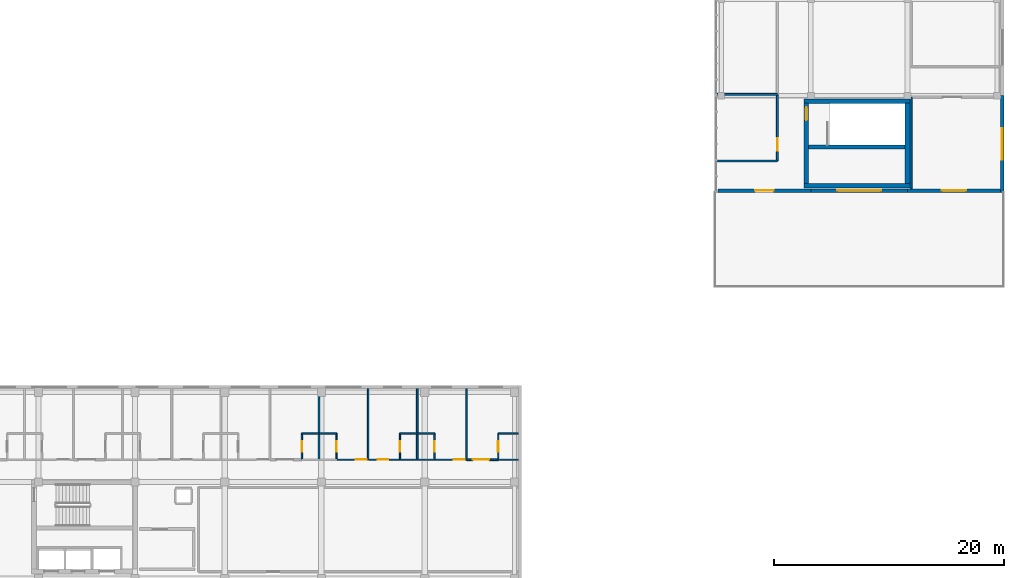
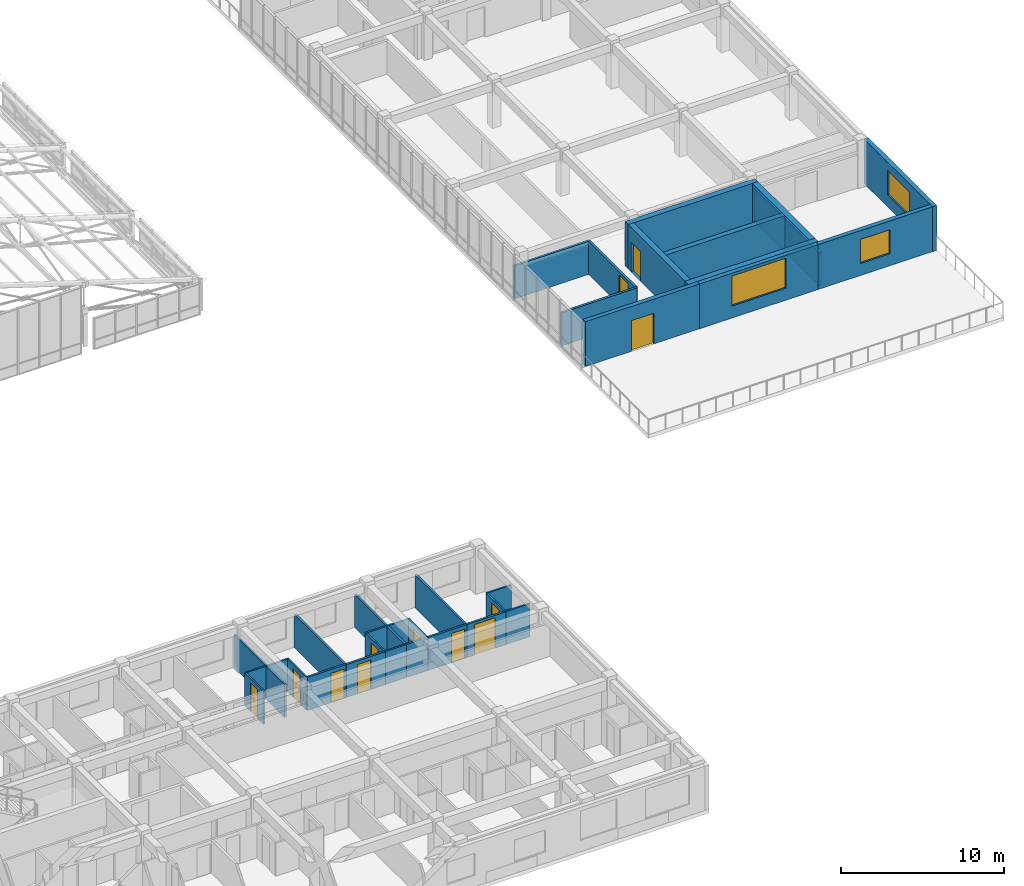
# One storey, part 139 of 144: 34 walls, 12 doors, 3 windows, 15 openings.
"""IFC4 building model written with IfcOpenShell, lengths in metres."""

from ifc_helpers import new_model, si_unit, direction, frame, frame_2d, origin, place, context, subcontext, project, spatial, rectangle, extrude, material, layer, layer_set, type_object, element, fill, save


model = new_model("IFC4")

# Units and contexts
model_context = context("Model", 3, precision=1e-05, world=origin(), true_north=direction((0.0, 1.0)))
body_context = subcontext(model_context, "Body", "Model", "MODEL_VIEW")
ifc_project = project(units=[si_unit("LENGTHUNIT", "METRE"), si_unit("AREAUNIT", "SQUARE_METRE"), si_unit("VOLUMEUNIT", "CUBIC_METRE"), si_unit("PLANEANGLEUNIT", "RADIAN"), si_unit("MASSUNIT", "GRAM", prefix="KILO")], contexts=[model_context])

# Site, building, storey
site_placement = place(None, origin())
site = spatial("IfcSite", under=ifc_project, at=site_placement, CompositionType="ELEMENT")
building_placement = place(site_placement, origin())
building = spatial("IfcBuilding", under=site, at=building_placement, Name="Zayran Congress Hotel", CompositionType="ELEMENT")
storey_placement = place(building_placement, frame((0.0, 0.0, 19.199951171875)))
storey = spatial("IfcBuildingStorey", under=building, at=storey_placement, Name="L04", CompositionType="ELEMENT", Elevation=19.199951171875)

# Wall, opening, door
ifc_material_1 = material(Name="Ajlun white limestone and insulated concrete C32/40", Category="masonry")
ifc_layer_1 = layer(ifc_material_1, 0.300048828125)
ifc_layer_set_1 = layer_set([ifc_layer_1], Name="Ajlun white limestone and insulated concrete C32/40")
wall_type_1 = type_object("IfcWallType", Name="WL-EX-300", PredefinedType="SOLIDWALL", material=ifc_layer_set_1)
wall_1_placement = place(storey_placement, frame((117.60009765625, 50.949951171875, 0.0), z_axis=(0.0, 0.0, 1.0), x_axis=(-1.0, 0.0, 0.0)))
wall_1 = element("IfcWall", 1, at=wall_1_placement, inside=storey, type_object=wall_type_1, Name="EW-V4-S-L04-0", PredefinedType="SOLIDWALL", context=body_context, shape_type="SweptSolid", body=[
    extrude(rectangle(XDim=8.10009765625, YDim=0.300048828125, at=frame_2d((4.050048828125, 0.0))), origin(), (0.0, 0.0, 1.0), 3.360107421875),
])
opening_1_placement = place(wall_1_placement, frame((3.25, 0.0, 0.0)))
opening_1 = element("IfcOpeningElement", 2, at=opening_1_placement, cuts=wall_1, Name="Opening DEX-04", PredefinedType="OPENING", context=body_context, shape_type="SweptSolid", body=[
    extrude(rectangle(XDim=1.60009765625, YDim=2.300048828125, at=frame_2d((0.800048828125, 1.14990234375))), frame((0.0, 0.159912109375, 0.0), z_axis=(0.0, -1.0, 0.0), x_axis=(1.0, 0.0, 0.0)), (0.0, 0.0, 1.0), 0.320068359375),
])
ifc_material_2 = material(Name="Anodised aluminium terrace door", Category="aluminium")
door_type_1 = type_object("IfcDoorType", Name="TP-DEX-04", OperationType="DOUBLE_DOOR_SINGLE_SWING", PredefinedType="DOOR", material=ifc_material_2)
door_1_placement = place(opening_1_placement, origin())
door_1 = element("IfcDoor", 3, at=door_1_placement, inside=storey, type_object=door_type_1, Name="V4 L04 S Terrace Access Door", OperationType="DOUBLE_DOOR_SINGLE_SWING", OverallHeight=2.300048828125, OverallWidth=1.60009765625, PredefinedType="DOOR", context=body_context, shape_type="SweptSolid", body=[
    extrude(rectangle(XDim=1.60009765625, YDim=2.300048828125, at=frame_2d((0.800048828125, 1.14990234375))), frame((0.0, 0.02490234375, 0.0), z_axis=(0.0, -1.0, 0.0), x_axis=(1.0, 0.0, 0.0)), (0.0, 0.0, 1.0), 0.050048828125),
])
fill(opening_1, door_1)

# Wall, opening, window
wall_2_placement = place(storey_placement, frame((126.0, 50.949951171875, 0.0), z_axis=(0.0, 0.0, 1.0), x_axis=(-1.0, 0.0, 0.0)))
wall_2 = element("IfcWall", 4, at=wall_2_placement, inside=storey, type_object=wall_type_1, Name="EW-V4-S-L04-1", PredefinedType="SOLIDWALL", context=body_context, shape_type="SweptSolid", body=[
    extrude(rectangle(XDim=8.39990234375, YDim=0.300048828125, at=frame_2d((4.199951171875, 0.0))), origin(), (0.0, 0.0, 1.0), 3.360107421875),
])
opening_2_placement = place(wall_2_placement, frame((2.300048828125, 0.0, 0.89990234375)))
opening_2 = element("IfcOpeningElement", 5, at=opening_2_placement, cuts=wall_2, Name="Opening WN-46", PredefinedType="OPENING", context=body_context, shape_type="SweptSolid", body=[
    extrude(rectangle(XDim=3.800048828125, YDim=2.25, at=frame_2d((1.89990234375, 1.125))), frame((0.0, 0.159912109375, 0.0), z_axis=(0.0, -1.0, 0.0), x_axis=(1.0, 0.0, 0.0)), (0.0, 0.0, 1.0), 0.320068359375),
])
ifc_material_3 = material(Name="Anodised aluminium and low-E insulated glass", Category="aluminium")
window_type_1 = type_object("IfcWindowType", Name="TP-WN-46", PartitioningType="TRIPLE_PANEL_VERTICAL", PredefinedType="WINDOW", material=ifc_material_3)
window_1_placement = place(opening_2_placement, origin())
window_1 = element("IfcWindow", 6, at=window_1_placement, inside=storey, type_object=window_type_1, Name="WIN-V4-0162", OverallHeight=2.25, OverallWidth=3.800048828125, PartitioningType="SINGLE_PANEL", PredefinedType="WINDOW", context=body_context, shape_type="SweptSolid", body=[
    extrude(rectangle(XDim=3.800048828125, YDim=2.25, at=frame_2d((1.89990234375, 1.125))), frame((0.0, 0.030029296875, 0.0), z_axis=(0.0, -1.0, 0.0), x_axis=(1.0, 0.0, 0.0)), (0.0, 0.0, 1.0), 0.06005859375),
])
fill(opening_2, window_1)

wall_3_placement = place(storey_placement, frame((134.10009765625, 50.949951171875, 0.0), z_axis=(0.0, 0.0, 1.0), x_axis=(-1.0, 0.0, 0.0)))
wall_3 = element("IfcWall", 7, at=wall_3_placement, inside=storey, type_object=wall_type_1, Name="EW-V4-S-L04-2", PredefinedType="SOLIDWALL", context=body_context, shape_type="SweptSolid", body=[
    extrude(rectangle(XDim=8.10009765625, YDim=0.300048828125, at=frame_2d((4.050048828125, 0.0))), origin(), (0.0, 0.0, 1.0), 3.360107421875),
])
opening_3_placement = place(wall_3_placement, frame((3.0, 0.0, 0.89990234375)))
opening_3 = element("IfcOpeningElement", 8, at=opening_3_placement, cuts=wall_3, Name="Opening WN-02", PredefinedType="OPENING", context=body_context, shape_type="SweptSolid", body=[
    extrude(rectangle(XDim=2.10009765625, YDim=1.800048828125, at=frame_2d((1.050048828125, 0.89990234375))), frame((0.0, 0.159912109375, 0.0), z_axis=(0.0, -1.0, 0.0), x_axis=(1.0, 0.0, 0.0)), (0.0, 0.0, 1.0), 0.320068359375),
])
window_type_2 = type_object("IfcWindowType", Name="TP-WN-02", PartitioningType="DOUBLE_PANEL_VERTICAL", PredefinedType="WINDOW", material=ifc_material_3)
window_2_placement = place(opening_3_placement, origin())
window_2 = element("IfcWindow", 9, at=window_2_placement, inside=storey, type_object=window_type_2, Name="WIN-V4-0164", OverallHeight=1.800048828125, OverallWidth=2.10009765625, PartitioningType="SINGLE_PANEL", PredefinedType="WINDOW", context=body_context, shape_type="SweptSolid", body=[
    extrude(rectangle(XDim=2.10009765625, YDim=1.800048828125, at=frame_2d((1.050048828125, 0.89990234375))), frame((0.0, 0.030029296875, 0.0), z_axis=(0.0, -1.0, 0.0), x_axis=(1.0, 0.0, 0.0)), (0.0, 0.0, 1.0), 0.06005859375),
])
fill(opening_3, window_2)

wall_4_placement = place(storey_placement, frame((134.25, 59.199951171875, 0.0), z_axis=(0.0, 0.0, 1.0), x_axis=(0.0, -1.0, 0.0)))
wall_4 = element("IfcWall", 10, at=wall_4_placement, inside=storey, type_object=wall_type_1, Name="EW-V4-E-L04-0", PredefinedType="SOLIDWALL", context=body_context, shape_type="SweptSolid", body=[
    extrude(rectangle(XDim=8.39990234375, YDim=0.300048828125, at=frame_2d((4.199951171875, 0.0))), origin(), (0.0, 0.0, 1.0), 3.360107421875),
])
opening_4_placement = place(wall_4_placement, frame((2.85009765625, 0.0, 0.89990234375)))
opening_4 = element("IfcOpeningElement", 11, at=opening_4_placement, cuts=wall_4, Name="Opening WN-04", PredefinedType="OPENING", context=body_context, shape_type="SweptSolid", body=[
    extrude(rectangle(XDim=2.699951171875, YDim=1.85009765625, at=frame_2d((1.35009765625, 0.925048828125))), frame((0.0, 0.159912109375, 0.0), z_axis=(0.0, -1.0, 0.0), x_axis=(1.0, 0.0, 0.0)), (0.0, 0.0, 1.0), 0.320068359375),
])
window_type_3 = type_object("IfcWindowType", Name="TP-WN-04", PartitioningType="TRIPLE_PANEL_VERTICAL", PredefinedType="WINDOW", material=ifc_material_3)
window_3_placement = place(opening_4_placement, origin())
window_3 = element("IfcWindow", 12, at=window_3_placement, inside=storey, type_object=window_type_3, Name="WIN-V4-0166", OverallHeight=1.85009765625, OverallWidth=2.699951171875, PartitioningType="SINGLE_PANEL", PredefinedType="WINDOW", context=body_context, shape_type="SweptSolid", body=[
    extrude(rectangle(XDim=2.699951171875, YDim=1.85009765625, at=frame_2d((1.35009765625, 0.925048828125))), frame((0.0, 0.030029296875, 0.0), z_axis=(0.0, -1.0, 0.0), x_axis=(1.0, 0.0, 0.0)), (0.0, 0.0, 1.0), 0.06005859375),
])
fill(opening_4, window_3)

# Walls
ifc_material_4 = material(Name="Concrete C40/50", Category="concrete")
ifc_layer_2 = layer(ifc_material_4, 0.39990234375)
ifc_layer_set_2 = layer_set([ifc_layer_2], Name="Concrete C40/50")
wall_type_2 = type_object("IfcWallType", Name="WL-SH-400", PredefinedType="SHEAR", material=ifc_layer_set_2)
for number, where, z_axis, x_axis, name in (
    (13, (117.0, 51.35009765625, 0.0), (0.0, 0.0, 1.0), (1.0, 0.0, 0.0), "CWALL-C-V4S-L04-S"),
    (14, (126.199951171875, 58.735107421875, 0.0), (0.0, 0.0, 1.0), (-1.0, 0.0, 0.0), "CWALL-C-V4S-L04-N"),
):
    element("IfcWall", number, at=place(storey_placement, frame(where, z_axis=z_axis, x_axis=x_axis)), inside=storey, type_object=wall_type_2, Name=name, PredefinedType="SHEAR", context=body_context, shape_type="SweptSolid", body=[
        extrude(rectangle(XDim=9.199951171875, YDim=0.39990234375, at=frame_2d((4.60009765625, 0.0))), origin(), (0.0, 0.0, 1.0), 3.320068359375),
    ])

# Wall, opening, door
wall_5_placement = place(storey_placement, frame((117.199951171875, 58.550048828125, 0.0), z_axis=(0.0, 0.0, 1.0), x_axis=(0.0, -1.0, 0.0)))
wall_5 = element("IfcWall", 15, at=wall_5_placement, inside=storey, type_object=wall_type_2, Name="CWALL-C-V4S-L04-W", PredefinedType="SHEAR", context=body_context, shape_type="SweptSolid", body=[
    extrude(rectangle(XDim=7.0, YDim=0.39990234375, at=frame_2d((3.5, 0.0))), origin(), (0.0, 0.0, 1.0), 3.320068359375),
])
opening_5_placement = place(wall_5_placement, frame((0.35009765625, 0.0, 0.0)))
opening_5 = element("IfcOpeningElement", 16, at=opening_5_placement, cuts=wall_5, Name="Opening DR-FD-90", PredefinedType="OPENING", context=body_context, shape_type="SweptSolid", body=[
    extrude(rectangle(XDim=1.14990234375, YDim=2.199951171875, at=frame_2d((0.574951171875, 1.10009765625))), frame((0.0, 0.2099609375, 0.0), z_axis=(0.0, -1.0, 0.0), x_axis=(1.0, 0.0, 0.0)), (0.0, 0.0, 1.0), 0.419921875),
])
ifc_material_5 = material(Name="Painted steel fire door assembly", Category="steel")
door_type_2 = type_object("IfcDoorType", Name="TP-DR-FD-90", OperationType="NOTDEFINED", PredefinedType="DOOR", material=ifc_material_5)
door_2_placement = place(opening_5_placement, origin())
door_2 = element("IfcDoor", 17, at=door_2_placement, inside=storey, type_object=door_type_2, Name="ST-08 Exit Stair Door L04", OperationType="SINGLE_SWING_LEFT", OverallHeight=2.199951171875, OverallWidth=1.14990234375, PredefinedType="DOOR", context=body_context, shape_type="SweptSolid", body=[
    extrude(rectangle(XDim=1.14990234375, YDim=2.199951171875, at=frame_2d((0.574951171875, 1.10009765625))), frame((0.0, 0.02490234375, 0.0), z_axis=(0.0, -1.0, 0.0), x_axis=(1.0, 0.0, 0.0)), (0.0, 0.0, 1.0), 0.050048828125),
])
fill(opening_5, door_2)

# Walls
wall_6_placement = place(storey_placement, frame((126.0, 51.550048828125, 0.0), z_axis=(0.0, 0.0, 1.0), x_axis=(0.0, 1.0, 0.0)))
element("IfcWall", 18, at=wall_6_placement, inside=storey, type_object=wall_type_2, Name="CWALL-C-V4S-L04-E", PredefinedType="SHEAR", context=body_context, shape_type="SweptSolid", body=[
    extrude(rectangle(XDim=7.0, YDim=0.39990234375, at=frame_2d((3.5, 0.0))), origin(), (0.0, 0.0, 1.0), 3.320068359375),
])
ifc_layer_3 = layer(ifc_material_4, 0.35009765625)
ifc_layer_set_3 = layer_set([ifc_layer_3], Name="Concrete C40/50")
wall_type_3 = type_object("IfcWallType", Name="WL-SH-350", PredefinedType="SHEAR", material=ifc_layer_set_3)
wall_7_placement = place(storey_placement, frame((117.39990234375, 54.735107421875, 0.0), z_axis=(0.0, 0.0, 1.0), x_axis=(1.0, 0.0, 0.0)))
element("IfcWall", 19, at=wall_7_placement, inside=storey, type_object=wall_type_3, Name="CWALL-C-V4S-L04-SPN", PredefinedType="SHEAR", context=body_context, shape_type="SweptSolid", body=[
    extrude(rectangle(XDim=8.400146484375, YDim=0.35009765625, at=frame_2d((4.2001953125, 0.0))), origin(), (0.0, 0.0, 1.0), 3.320068359375),
])

# Wall, opening, door
ifc_material_6 = material(Name="Acoustic twin-stud gypsum partition", Category="gypsum")
ifc_layer_4 = layer(ifc_material_6, 0.159912109375)
ifc_layer_set_4 = layer_set([ifc_layer_4], Name="Acoustic twin-stud gypsum partition")
wall_type_4 = type_object("IfcWallType", Name="WL-PT-160", PredefinedType="PARTITIONING", material=ifc_layer_set_4)
wall_8_placement = place(storey_placement, frame((114.679931640625, 53.52001953125, 0.0), z_axis=(0.0, 0.0, 1.0), x_axis=(0.0, 1.0, 0.0)))
wall_8 = element("IfcWall", 20, at=wall_8_placement, inside=storey, type_object=wall_type_4, Name="IW-L04-0611", PredefinedType="PARTITIONING", context=body_context, shape_type="SweptSolid", body=[
    extrude(rectangle(XDim=5.760009765625, YDim=0.159912109375, at=frame_2d((2.8798828125, 0.0))), origin(), (0.0, 0.0, 1.0), 2.47998046875),
])
opening_6_placement = place(wall_8_placement, frame((0.8798828125, 0.0, 0.0)))
opening_6 = element("IfcOpeningElement", 21, at=opening_6_placement, cuts=wall_8, Name="Opening DR-MT-01", PredefinedType="OPENING", context=body_context, shape_type="SweptSolid", body=[
    extrude(rectangle(XDim=1.080078125, YDim=2.25, at=frame_2d((0.5400390625, 1.125))), frame((0.0, 0.08984375, 0.0), z_axis=(0.0, -1.0, 0.0), x_axis=(1.0, 0.0, 0.0)), (0.0, 0.0, 1.0), 0.179931640625),
])
ifc_material_7 = material(Name="Acoustic timber seminar room door", Category="wood")
door_type_3 = type_object("IfcDoorType", Name="TP-DR-MT-01", OperationType="NOTDEFINED", PredefinedType="DOOR", material=ifc_material_7)
door_3_placement = place(opening_6_placement, origin())
door_3 = element("IfcDoor", 22, at=door_3_placement, inside=storey, type_object=door_type_3, Name="Delegation South Salon L04 Door", OperationType="SINGLE_SWING_RIGHT", OverallHeight=2.25, OverallWidth=1.080078125, PredefinedType="DOOR", context=body_context, shape_type="SweptSolid", body=[
    extrude(rectangle(XDim=1.080078125, YDim=2.25, at=frame_2d((0.5400390625, 1.125))), frame((0.0, 0.02490234375, 0.0), z_axis=(0.0, -1.0, 0.0), x_axis=(1.0, 0.0, 0.0)), (0.0, 0.0, 1.0), 0.050048828125),
])
fill(opening_6, door_3)

# Walls
for number, where, z_axis, x_axis, name in (
    (23, (109.360107421875, 59.320068359375, 0.0), (0.0, 0.0, 1.0), (1.0, 0.0, 0.0), "IW-L04-1929"),
    (24, (109.360107421875, 53.52001953125, 0.0), (0.0, 0.0, 1.0), (1.0, 0.0, 0.0), "IW-L04-1933"),
):
    element("IfcWall", number, at=place(storey_placement, frame(where, z_axis=z_axis, x_axis=x_axis)), inside=storey, type_object=wall_type_4, Name=name, PredefinedType="PARTITIONING", context=body_context, shape_type="SweptSolid", body=[
        extrude(rectangle(XDim=5.31982421875, YDim=0.159912109375, at=frame_2d((2.659912109375, 0.0))), origin(), (0.0, 0.0, 1.0), 2.47998046875),
    ])
wall_9_placement = place(storey_placement, frame((126.320068359375, 51.10009765625, 0.0), z_axis=(0.0, 0.0, 1.0), x_axis=(0.0, 1.0, 0.0)))
element("IfcWall", 25, at=wall_9_placement, inside=storey, type_object=wall_type_4, Name="IW-L04-1935", PredefinedType="PARTITIONING", context=body_context, shape_type="SweptSolid", body=[
    extrude(rectangle(XDim=7.97998046875, YDim=0.159912109375, at=frame_2d((3.989990234375, 0.0))), origin(), (0.0, 0.0, 1.0), 2.47998046875),
])

# Wall, opening, door
ifc_material_8 = material(Name="Hospitality guestroom acoustic partition", Category="gypsum")
ifc_layer_5 = layer(ifc_material_8, 0.139892578125)
ifc_layer_set_5 = layer_set([ifc_layer_5], Name="Hospitality guestroom acoustic partition")
wall_type_5 = type_object("IfcWallType", Name="WL-PT-140", PredefinedType="PARTITIONING", material=ifc_layer_set_5)
wall_10_placement = place(storey_placement, frame((76.320068359375, 27.530029296875, 0.0), z_axis=(0.0, 0.0, 1.0), x_axis=(1.0, 0.0, 0.0)))
wall_10 = element("IfcWall", 26, at=wall_10_placement, inside=storey, type_object=wall_type_5, Name="IW-L04-0650", PredefinedType="PARTITIONING", context=body_context, shape_type="SweptSolid", body=[
    extrude(rectangle(XDim=2.7548828125, YDim=0.139892578125, at=frame_2d((1.37744140625, 0.0))), origin(), (0.0, 0.0, 1.0), 2.47998046875),
])
opening_7_placement = place(wall_10_placement, frame((1.675048828125, 0.0, 0.0)))
opening_7 = element("IfcOpeningElement", 27, at=opening_7_placement, cuts=wall_10, Name="Opening DR-GR-01", PredefinedType="OPENING", context=body_context, shape_type="SweptSolid", body=[
    extrude(rectangle(XDim=0.93994140625, YDim=2.199951171875, at=frame_2d((0.469970703125, 1.10009765625))), frame((0.0, 0.079833984375, 0.0), z_axis=(0.0, -1.0, 0.0), x_axis=(1.0, 0.0, 0.0)), (0.0, 0.0, 1.0), 0.159912109375),
])
ifc_material_9 = material(Name="Acoustic walnut veneer fire-rated entry door", Category="wood")
door_type_4 = type_object("IfcDoorType", Name="TP-DR-GR-01", OperationType="NOTDEFINED", PredefinedType="DOOR", material=ifc_material_9)
door_4_placement = place(opening_7_placement, origin())
door_4 = element("IfcDoor", 28, at=door_4_placement, inside=storey, type_object=door_type_4, Name="Guest Room L04-31 Door", OperationType="SINGLE_SWING_RIGHT", OverallHeight=2.199951171875, OverallWidth=0.93994140625, PredefinedType="DOOR", context=body_context, shape_type="SweptSolid", body=[
    extrude(rectangle(XDim=0.93994140625, YDim=2.199951171875, at=frame_2d((0.469970703125, 1.10009765625))), frame((0.0, 0.02490234375, 0.0), z_axis=(0.0, -1.0, 0.0), x_axis=(1.0, 0.0, 0.0)), (0.0, 0.0, 1.0), 0.050048828125),
])
fill(opening_7, door_4)

wall_11_placement = place(storey_placement, frame((79.094970703125, 27.530029296875, 0.0), z_axis=(0.0, 0.0, 1.0), x_axis=(1.0, 0.0, 0.0)))
wall_11 = element("IfcWall", 29, at=wall_11_placement, inside=storey, type_object=wall_type_5, Name="IW-L04-0651", PredefinedType="PARTITIONING", context=body_context, shape_type="SweptSolid", body=[
    extrude(rectangle(XDim=2.754150390625, YDim=0.139892578125, at=frame_2d((1.376953125, 0.0))), origin(), (0.0, 0.0, 1.0), 2.47998046875),
])
opening_8_placement = place(wall_11_placement, frame((0.797119140625, 0.0, 0.0)))
opening_8 = element("IfcOpeningElement", 30, at=opening_8_placement, cuts=wall_11, Name="Opening DR-GR-01", PredefinedType="OPENING", context=body_context, shape_type="SweptSolid", body=[
    extrude(rectangle(XDim=0.93994140625, YDim=2.199951171875, at=frame_2d((0.469970703125, 1.10009765625))), frame((0.0, 0.079833984375, 0.0), z_axis=(0.0, -1.0, 0.0), x_axis=(1.0, 0.0, 0.0)), (0.0, 0.0, 1.0), 0.159912109375),
])
door_5_placement = place(opening_8_placement, origin())
door_5 = element("IfcDoor", 31, at=door_5_placement, inside=storey, type_object=door_type_4, Name="Guest Room L04-32 Door", OperationType="SINGLE_SWING_LEFT", OverallHeight=2.199951171875, OverallWidth=0.93994140625, PredefinedType="DOOR", context=body_context, shape_type="SweptSolid", body=[
    extrude(rectangle(XDim=0.93994140625, YDim=2.199951171875, at=frame_2d((0.469970703125, 1.10009765625))), frame((0.0, 0.02490234375, 0.0), z_axis=(0.0, -1.0, 0.0), x_axis=(1.0, 0.0, 0.0)), (0.0, 0.0, 1.0), 0.050048828125),
])
fill(opening_8, door_5)

wall_12_placement = place(storey_placement, frame((84.863037109375, 27.530029296875, 0.0), z_axis=(0.0, 0.0, 1.0), x_axis=(1.0, 0.0, 0.0)))
wall_12 = element("IfcWall", 32, at=wall_12_placement, inside=storey, type_object=wall_type_5, Name="IW-L04-0652", PredefinedType="PARTITIONING", context=body_context, shape_type="SweptSolid", body=[
    extrude(rectangle(XDim=2.7548828125, YDim=0.139892578125, at=frame_2d((1.37744140625, 0.0))), origin(), (0.0, 0.0, 1.0), 2.47998046875),
])
opening_9_placement = place(wall_12_placement, frame((1.675048828125, 0.0, 0.0)))
opening_9 = element("IfcOpeningElement", 33, at=opening_9_placement, cuts=wall_12, Name="Opening DR-GR-01", PredefinedType="OPENING", context=body_context, shape_type="SweptSolid", body=[
    extrude(rectangle(XDim=0.93994140625, YDim=2.199951171875, at=frame_2d((0.469970703125, 1.10009765625))), frame((0.0, 0.079833984375, 0.0), z_axis=(0.0, -1.0, 0.0), x_axis=(1.0, 0.0, 0.0)), (0.0, 0.0, 1.0), 0.159912109375),
])
door_6_placement = place(opening_9_placement, origin())
door_6 = element("IfcDoor", 34, at=door_6_placement, inside=storey, type_object=door_type_4, Name="Guest Room L04-33 Door", OperationType="SINGLE_SWING_RIGHT", OverallHeight=2.199951171875, OverallWidth=0.93994140625, PredefinedType="DOOR", context=body_context, shape_type="SweptSolid", body=[
    extrude(rectangle(XDim=0.93994140625, YDim=2.199951171875, at=frame_2d((0.469970703125, 1.10009765625))), frame((0.0, 0.02490234375, 0.0), z_axis=(0.0, -1.0, 0.0), x_axis=(1.0, 0.0, 0.0)), (0.0, 0.0, 1.0), 0.050048828125),
])
fill(opening_9, door_6)

wall_13_placement = place(storey_placement, frame((87.637939453125, 27.530029296875, 0.0), z_axis=(0.0, 0.0, 1.0), x_axis=(1.0, 0.0, 0.0)))
wall_13 = element("IfcWall", 35, at=wall_13_placement, inside=storey, type_object=wall_type_5, Name="IW-L04-0653", PredefinedType="PARTITIONING", context=body_context, shape_type="SweptSolid", body=[
    extrude(rectangle(XDim=2.755126953125, YDim=0.139892578125, at=frame_2d((1.37744140625, 0.0))), origin(), (0.0, 0.0, 1.0), 2.47998046875),
])
opening_10_placement = place(wall_13_placement, frame((0.54296875, 0.0, 0.0)))
opening_10 = element("IfcOpeningElement", 36, at=opening_10_placement, cuts=wall_13, Name="Opening DR-ST-01", PredefinedType="OPENING", context=body_context, shape_type="SweptSolid", body=[
    extrude(rectangle(XDim=1.449951171875, YDim=2.300048828125, at=frame_2d((0.72509765625, 1.14990234375))), frame((0.0, 0.079833984375, 0.0), z_axis=(0.0, -1.0, 0.0), x_axis=(1.0, 0.0, 0.0)), (0.0, 0.0, 1.0), 0.159912109375),
])
ifc_material_10 = material(Name="Double walnut veneer suite entry door", Category="wood")
door_type_5 = type_object("IfcDoorType", Name="TP-DR-ST-01", OperationType="DOUBLE_DOOR_SINGLE_SWING", PredefinedType="DOOR", material=ifc_material_10)
door_7_placement = place(opening_10_placement, origin())
door_7 = element("IfcDoor", 37, at=door_7_placement, inside=storey, type_object=door_type_5, Name="Executive Suite L04-34 Door", OperationType="DOUBLE_DOOR_SINGLE_SWING", OverallHeight=2.300048828125, OverallWidth=1.449951171875, PredefinedType="DOOR", context=body_context, shape_type="SweptSolid", body=[
    extrude(rectangle(XDim=1.449951171875, YDim=2.300048828125, at=frame_2d((0.72509765625, 1.14990234375))), frame((0.0, 0.02490234375, 0.0), z_axis=(0.0, -1.0, 0.0), x_axis=(1.0, 0.0, 0.0)), (0.0, 0.0, 1.0), 0.050048828125),
])
fill(opening_10, door_7)

# Walls
for number, where, z_axis, x_axis, name in (
    (38, (74.802978515625, 27.52001953125, 0.0), (0.0, 0.0, 1.0), (0.0, 1.0, 0.0), "IW-L04-1974"),
    (39, (79.074951171875, 27.52001953125, 0.0), (0.0, 0.0, 1.0), (0.0, 1.0, 0.0), "IW-L04-1975"),
    (40, (83.345947265625, 27.52001953125, 0.0), (0.0, 0.0, 1.0), (0.0, 1.0, 0.0), "IW-L04-1976"),
    (41, (87.617919921875, 27.52001953125, 0.0), (0.0, 0.0, 1.0), (0.0, 1.0, 0.0), "IW-L04-1977"),
):
    element("IfcWall", number, at=place(storey_placement, frame(where, z_axis=z_axis, x_axis=x_axis)), inside=storey, type_object=wall_type_5, Name=name, PredefinedType="PARTITIONING", context=body_context, shape_type="SweptSolid", body=[
        extrude(rectangle(XDim=6.199951171875, YDim=0.139892578125, at=frame_2d((3.10009765625, 0.0))), origin(), (0.0, 0.0, 1.0), 2.47998046875),
    ])

# Wall, opening, door
ifc_material_11 = material(Name="Moisture-resistant bathroom partition", Category="gypsum")
ifc_layer_6 = layer(ifc_material_11, 0.1201171875)
ifc_layer_set_6 = layer_set([ifc_layer_6], Name="Moisture-resistant bathroom partition")
wall_type_6 = type_object("IfcWallType", Name="WL-PT-120", PredefinedType="PARTITIONING", material=ifc_layer_set_6)
wall_14_placement = place(storey_placement, frame((73.305908203125, 27.52001953125, 0.0), z_axis=(0.0, 0.0, 1.0), x_axis=(0.0, 1.0, 0.0)))
wall_14 = element("IfcWall", 42, at=wall_14_placement, inside=storey, type_object=wall_type_6, Name="IW-L04-0156", PredefinedType="PARTITIONING", context=body_context, shape_type="SweptSolid", body=[
    extrude(rectangle(XDim=2.31005859375, YDim=0.1201171875, at=frame_2d((1.155029296875, 0.0))), origin(), (0.0, 0.0, 1.0), 2.47998046875),
])
opening_11_placement = place(wall_14_placement, frame((0.715087890625, 0.0, 0.0)))
opening_11 = element("IfcOpeningElement", 43, at=opening_11_placement, cuts=wall_14, Name="Opening DR-BT-01", PredefinedType="OPENING", context=body_context, shape_type="SweptSolid", body=[
    extrude(rectangle(XDim=0.8798828125, YDim=2.14990234375, at=frame_2d((0.43994140625, 1.074951171875))), frame((0.0, 0.070068359375, 0.0), z_axis=(0.0, -1.0, 0.0), x_axis=(1.0, 0.0, 0.0)), (0.0, 0.0, 1.0), 0.14013671875),
])
ifc_material_12 = material(Name="Moisture-resistant oak en-suite door", Category="wood")
door_type_6 = type_object("IfcDoorType", Name="TP-DR-BT-01", OperationType="NOTDEFINED", PredefinedType="DOOR", material=ifc_material_12)
door_8_placement = place(opening_11_placement, origin())
door_8 = element("IfcDoor", 44, at=door_8_placement, inside=storey, type_object=door_type_6, Name="En-Suite Bathroom L04-30 Door", OperationType="SINGLE_SWING_LEFT", OverallHeight=2.14990234375, OverallWidth=0.8798828125, PredefinedType="DOOR", context=body_context, shape_type="SweptSolid", body=[
    extrude(rectangle(XDim=0.8798828125, YDim=2.14990234375, at=frame_2d((0.43994140625, 1.074951171875))), frame((0.0, 0.02490234375, 0.0), z_axis=(0.0, -1.0, 0.0), x_axis=(1.0, 0.0, 0.0)), (0.0, 0.0, 1.0), 0.050048828125),
])
fill(opening_11, door_8)

wall_15_placement = place(storey_placement, frame((76.320068359375, 27.52001953125, 0.0), z_axis=(0.0, 0.0, 1.0), x_axis=(0.0, 1.0, 0.0)))
wall_15 = element("IfcWall", 45, at=wall_15_placement, inside=storey, type_object=wall_type_6, Name="IW-L04-0157", PredefinedType="PARTITIONING", context=body_context, shape_type="SweptSolid", body=[
    extrude(rectangle(XDim=2.31005859375, YDim=0.1201171875, at=frame_2d((1.155029296875, 0.0))), origin(), (0.0, 0.0, 1.0), 2.47998046875),
])
opening_12_placement = place(wall_15_placement, frame((0.715087890625, 0.0, 0.0)))
opening_12 = element("IfcOpeningElement", 46, at=opening_12_placement, cuts=wall_15, Name="Opening DR-BT-01", PredefinedType="OPENING", context=body_context, shape_type="SweptSolid", body=[
    extrude(rectangle(XDim=0.8798828125, YDim=2.14990234375, at=frame_2d((0.43994140625, 1.074951171875))), frame((0.0, 0.070068359375, 0.0), z_axis=(0.0, -1.0, 0.0), x_axis=(1.0, 0.0, 0.0)), (0.0, 0.0, 1.0), 0.14013671875),
])
door_9_placement = place(opening_12_placement, origin())
door_9 = element("IfcDoor", 47, at=door_9_placement, inside=storey, type_object=door_type_6, Name="En-Suite Bathroom L04-31 Door", OperationType="SINGLE_SWING_RIGHT", OverallHeight=2.14990234375, OverallWidth=0.8798828125, PredefinedType="DOOR", context=body_context, shape_type="SweptSolid", body=[
    extrude(rectangle(XDim=0.8798828125, YDim=2.14990234375, at=frame_2d((0.43994140625, 1.074951171875))), frame((0.0, 0.02490234375, 0.0), z_axis=(0.0, -1.0, 0.0), x_axis=(1.0, 0.0, 0.0)), (0.0, 0.0, 1.0), 0.050048828125),
])
fill(opening_12, door_9)

wall_16_placement = place(storey_placement, frame((81.84912109375, 27.52001953125, 0.0), z_axis=(0.0, 0.0, 1.0), x_axis=(0.0, 1.0, 0.0)))
wall_16 = element("IfcWall", 48, at=wall_16_placement, inside=storey, type_object=wall_type_6, Name="IW-L04-0158", PredefinedType="PARTITIONING", context=body_context, shape_type="SweptSolid", body=[
    extrude(rectangle(XDim=2.31005859375, YDim=0.1201171875, at=frame_2d((1.155029296875, 0.0))), origin(), (0.0, 0.0, 1.0), 2.47998046875),
])
opening_13_placement = place(wall_16_placement, frame((0.715087890625, 0.0, 0.0)))
opening_13 = element("IfcOpeningElement", 49, at=opening_13_placement, cuts=wall_16, Name="Opening DR-BT-01", PredefinedType="OPENING", context=body_context, shape_type="SweptSolid", body=[
    extrude(rectangle(XDim=0.8798828125, YDim=2.14990234375, at=frame_2d((0.43994140625, 1.074951171875))), frame((0.0, 0.070068359375, 0.0), z_axis=(0.0, -1.0, 0.0), x_axis=(1.0, 0.0, 0.0)), (0.0, 0.0, 1.0), 0.14013671875),
])
door_10_placement = place(opening_13_placement, origin())
door_10 = element("IfcDoor", 50, at=door_10_placement, inside=storey, type_object=door_type_6, Name="En-Suite Bathroom L04-32 Door", OperationType="SINGLE_SWING_LEFT", OverallHeight=2.14990234375, OverallWidth=0.8798828125, PredefinedType="DOOR", context=body_context, shape_type="SweptSolid", body=[
    extrude(rectangle(XDim=0.8798828125, YDim=2.14990234375, at=frame_2d((0.43994140625, 1.074951171875))), frame((0.0, 0.02490234375, 0.0), z_axis=(0.0, -1.0, 0.0), x_axis=(1.0, 0.0, 0.0)), (0.0, 0.0, 1.0), 0.050048828125),
])
fill(opening_13, door_10)

wall_17_placement = place(storey_placement, frame((84.863037109375, 27.52001953125, 0.0), z_axis=(0.0, 0.0, 1.0), x_axis=(0.0, 1.0, 0.0)))
wall_17 = element("IfcWall", 51, at=wall_17_placement, inside=storey, type_object=wall_type_6, Name="IW-L04-0159", PredefinedType="PARTITIONING", context=body_context, shape_type="SweptSolid", body=[
    extrude(rectangle(XDim=2.31005859375, YDim=0.1201171875, at=frame_2d((1.155029296875, 0.0))), origin(), (0.0, 0.0, 1.0), 2.47998046875),
])
opening_14_placement = place(wall_17_placement, frame((0.715087890625, 0.0, 0.0)))
opening_14 = element("IfcOpeningElement", 52, at=opening_14_placement, cuts=wall_17, Name="Opening DR-BT-01", PredefinedType="OPENING", context=body_context, shape_type="SweptSolid", body=[
    extrude(rectangle(XDim=0.8798828125, YDim=2.14990234375, at=frame_2d((0.43994140625, 1.074951171875))), frame((0.0, 0.070068359375, 0.0), z_axis=(0.0, -1.0, 0.0), x_axis=(1.0, 0.0, 0.0)), (0.0, 0.0, 1.0), 0.14013671875),
])
door_11_placement = place(opening_14_placement, origin())
door_11 = element("IfcDoor", 53, at=door_11_placement, inside=storey, type_object=door_type_6, Name="En-Suite Bathroom L04-33 Door", OperationType="SINGLE_SWING_RIGHT", OverallHeight=2.14990234375, OverallWidth=0.8798828125, PredefinedType="DOOR", context=body_context, shape_type="SweptSolid", body=[
    extrude(rectangle(XDim=0.8798828125, YDim=2.14990234375, at=frame_2d((0.43994140625, 1.074951171875))), frame((0.0, 0.02490234375, 0.0), z_axis=(0.0, -1.0, 0.0), x_axis=(1.0, 0.0, 0.0)), (0.0, 0.0, 1.0), 0.050048828125),
])
fill(opening_14, door_11)

wall_18_placement = place(storey_placement, frame((90.39306640625, 27.52001953125, 0.0), z_axis=(0.0, 0.0, 1.0), x_axis=(0.0, 1.0, 0.0)))
wall_18 = element("IfcWall", 54, at=wall_18_placement, inside=storey, type_object=wall_type_6, Name="IW-L04-0160", PredefinedType="PARTITIONING", context=body_context, shape_type="SweptSolid", body=[
    extrude(rectangle(XDim=2.31005859375, YDim=0.1201171875, at=frame_2d((1.155029296875, 0.0))), origin(), (0.0, 0.0, 1.0), 2.47998046875),
])
opening_15_placement = place(wall_18_placement, frame((0.715087890625, 0.0, 0.0)))
opening_15 = element("IfcOpeningElement", 55, at=opening_15_placement, cuts=wall_18, Name="Opening DR-BT-01", PredefinedType="OPENING", context=body_context, shape_type="SweptSolid", body=[
    extrude(rectangle(XDim=0.8798828125, YDim=2.14990234375, at=frame_2d((0.43994140625, 1.074951171875))), frame((0.0, 0.070068359375, 0.0), z_axis=(0.0, -1.0, 0.0), x_axis=(1.0, 0.0, 0.0)), (0.0, 0.0, 1.0), 0.14013671875),
])
door_12_placement = place(opening_15_placement, origin())
door_12 = element("IfcDoor", 56, at=door_12_placement, inside=storey, type_object=door_type_6, Name="En-Suite Bathroom L04-34 Door", OperationType="SINGLE_SWING_LEFT", OverallHeight=2.14990234375, OverallWidth=0.8798828125, PredefinedType="DOOR", context=body_context, shape_type="SweptSolid", body=[
    extrude(rectangle(XDim=0.8798828125, YDim=2.14990234375, at=frame_2d((0.43994140625, 1.074951171875))), frame((0.0, 0.02490234375, 0.0), z_axis=(0.0, -1.0, 0.0), x_axis=(1.0, 0.0, 0.0)), (0.0, 0.0, 1.0), 0.050048828125),
])
fill(opening_15, door_12)

# Walls
for number, where, z_axis, x_axis, name in (
    (57, (73.2958984375, 29.820068359375, 0.0), (0.0, 0.0, 1.0), (1.0, 0.0, 0.0), "IW-L04-1180"),
    (58, (74.81298828125, 29.820068359375, 0.0), (0.0, 0.0, 1.0), (1.0, 0.0, 0.0), "IW-L04-1182"),
):
    element("IfcWall", number, at=place(storey_placement, frame(where, z_axis=z_axis, x_axis=x_axis)), inside=storey, type_object=wall_type_6, Name=name, PredefinedType="PARTITIONING", context=body_context, shape_type="SweptSolid", body=[
        extrude(rectangle(XDim=1.51708984375, YDim=0.1201171875, at=frame_2d((0.758544921875, 0.0))), origin(), (0.0, 0.0, 1.0), 2.47998046875),
    ])
for number, where, z_axis, x_axis, name in (
    (59, (81.839111328125, 27.530029296875, 0.0), (0.0, 0.0, 1.0), (1.0, 0.0, 0.0), "IW-L04-1183"),
    (60, (81.839111328125, 29.820068359375, 0.0), (0.0, 0.0, 1.0), (1.0, 0.0, 0.0), "IW-L04-1184"),
):
    element("IfcWall", number, at=place(storey_placement, frame(where, z_axis=z_axis, x_axis=x_axis)), inside=storey, type_object=wall_type_6, Name=name, PredefinedType="PARTITIONING", context=body_context, shape_type="SweptSolid", body=[
        extrude(rectangle(XDim=1.516845703125, YDim=0.1201171875, at=frame_2d((0.75830078125, 0.0))), origin(), (0.0, 0.0, 1.0), 2.47998046875),
    ])
for number, where, z_axis, x_axis, name in (
    (61, (83.35595703125, 27.530029296875, 0.0), (0.0, 0.0, 1.0), (1.0, 0.0, 0.0), "IW-L04-1185"),
    (62, (83.35595703125, 29.820068359375, 0.0), (0.0, 0.0, 1.0), (1.0, 0.0, 0.0), "IW-L04-1186"),
):
    element("IfcWall", number, at=place(storey_placement, frame(where, z_axis=z_axis, x_axis=x_axis)), inside=storey, type_object=wall_type_6, Name=name, PredefinedType="PARTITIONING", context=body_context, shape_type="SweptSolid", body=[
        extrude(rectangle(XDim=1.51708984375, YDim=0.1201171875, at=frame_2d((0.758544921875, 0.0))), origin(), (0.0, 0.0, 1.0), 2.47998046875),
    ])
for number, where, z_axis, x_axis, name in (
    (63, (90.383056640625, 27.530029296875, 0.0), (0.0, 0.0, 1.0), (1.0, 0.0, 0.0), "IW-L04-1187"),
    (64, (90.383056640625, 29.820068359375, 0.0), (0.0, 0.0, 1.0), (1.0, 0.0, 0.0), "IW-L04-1188"),
):
    element("IfcWall", number, at=place(storey_placement, frame(where, z_axis=z_axis, x_axis=x_axis)), inside=storey, type_object=wall_type_6, Name=name, PredefinedType="PARTITIONING", context=body_context, shape_type="SweptSolid", body=[
        extrude(rectangle(XDim=1.737060546875, YDim=0.1201171875, at=frame_2d((0.86865234375, 0.0))), origin(), (0.0, 0.0, 1.0), 2.47998046875),
    ])

save(model, "model.ifc")
